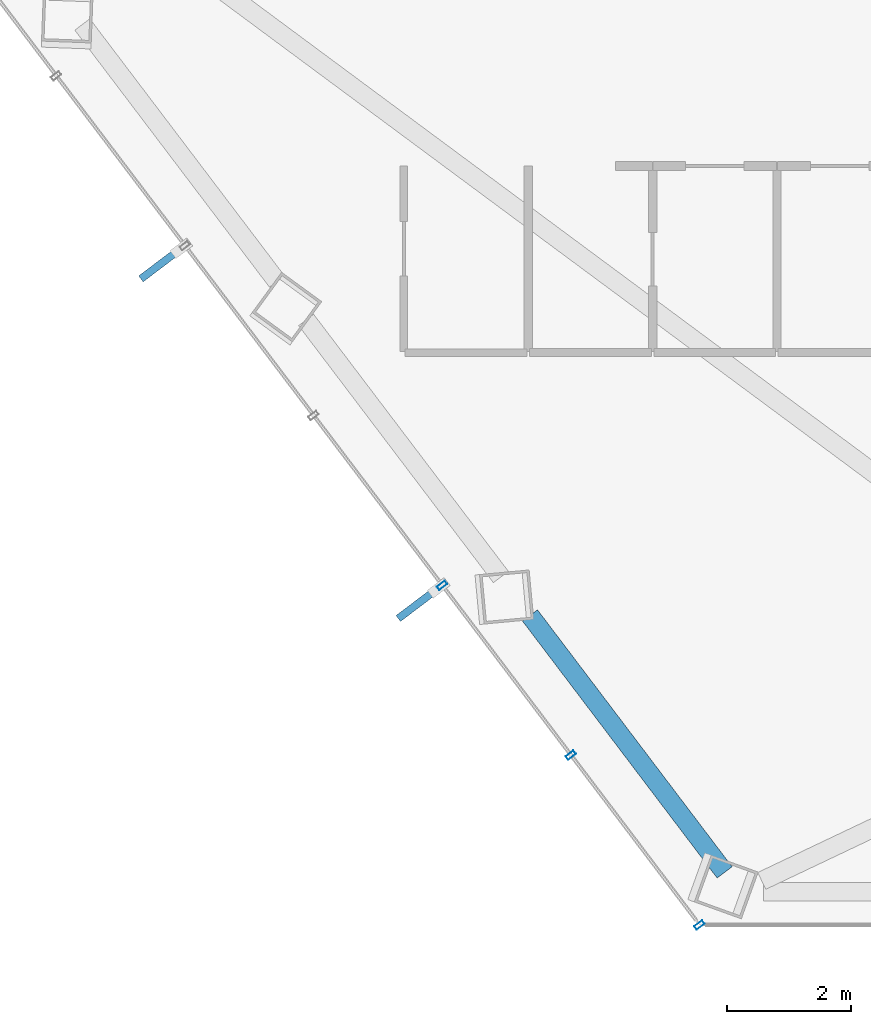
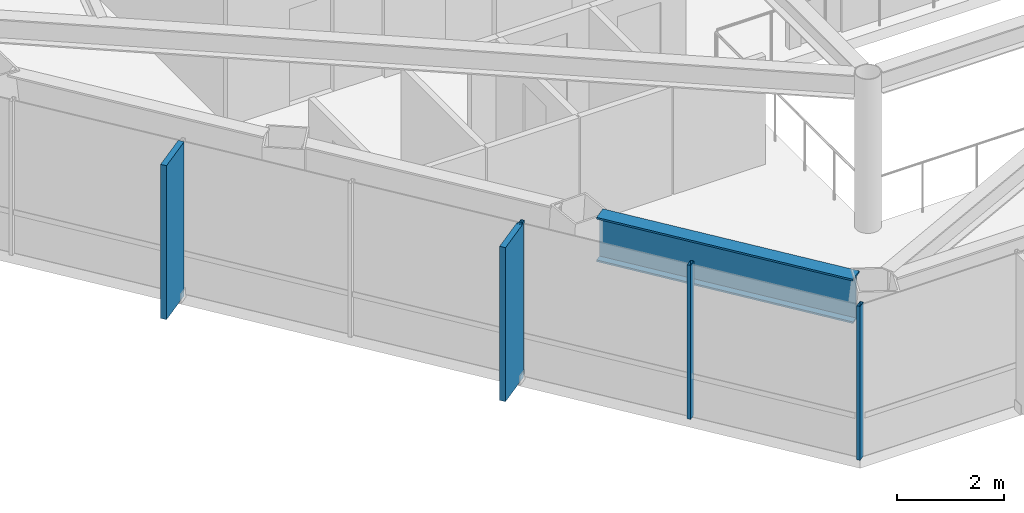
# One storey, part 2 of 29: 5 members, 1 beam, 1 element without a shape of its own.
"""IFC4 building model written with IfcOpenShell, lengths in metres."""

from ifc_helpers import new_model, si_unit, direction, frame, origin, origin_2d, place, context, subcontext, project, spatial, rectangle, hollow_rectangle, i_section, extrude, material, layer, layer_set, material_profile, profile_set, type_object, element, aggregate, save


model = new_model("IFC4")

# Units and contexts
model_context = context("Model", 3, precision=1e-05, world=origin(), true_north=direction((0.0, 1.0)))
body_context = subcontext(model_context, "Body", "Model", "MODEL_VIEW")
ifc_project = project(units=[si_unit("LENGTHUNIT", "METRE"), si_unit("AREAUNIT", "SQUARE_METRE"), si_unit("VOLUMEUNIT", "CUBIC_METRE"), si_unit("PLANEANGLEUNIT", "RADIAN"), si_unit("MASSUNIT", "GRAM", prefix="KILO")], contexts=[model_context])

# Site, building, storey
site_placement = place(None, origin())
site = spatial("IfcSite", under=ifc_project, at=site_placement, CompositionType="ELEMENT")
building_placement = place(site_placement, origin())
building = spatial("IfcBuilding", under=site, at=building_placement, Name="Zarrinselat Tower", CompositionType="ELEMENT")
storey_placement = place(building_placement, frame((0.0, 0.0, 142.1201171875)))
storey = spatial("IfcBuildingStorey", under=building, at=storey_placement, Name="L34", CompositionType="ELEMENT", Elevation=142.1201171875)

# Beam
ifc_material_1 = material(Name="Steel S460M", Category="steel")
ifc_material_profile_1 = material_profile(ifc_material_1, i_section(OverallWidth=0.302001953125, OverallDepth=1.008056640625, WebThickness=0.02099609375, FlangeThickness=0.0400390625, at=origin_2d()), Name="HEM 1000")
ifc_profile_set_1 = profile_set([ifc_material_profile_1], Name="Steel S460M")
beam_type = type_object("IfcBeamType", Name="BM-HEM1000", PredefinedType="BEAM", material=ifc_profile_set_1)
beam_placement = place(storey_placement, frame((27.177978515625, 22.922607421875, 2.995849609375), z_axis=(0.60385134038, -0.797096956914, 0.0), x_axis=(0.797096956914, 0.60385134038, 0.0)))
element("IfcBeam", 1, at=beam_placement, inside=storey, type_object=beam_type, Name="L34 Perimeter Spandrel Girder SP09", PredefinedType="BEAM", context=body_context, shape_type="SweptSolid", body=[
    extrude(i_section(OverallWidth=0.302001953125, OverallDepth=1.008056640625, WebThickness=0.02099609375, FlangeThickness=0.0400390625, at=origin_2d()), origin(), (0.0, 0.0, 1.0), 5.18359375),
])

# Curtain wall, members
ifc_material_2 = material(Name="Extruded Aluminium Alloy EN AW-6063 T6", Category="aluminium")
ifc_layer = layer(ifc_material_2, 0.175048828125)
ifc_layer_set = layer_set([ifc_layer], Name="Extruded Aluminium Alloy EN AW-6063 T6")
curtain_wall_type = type_object("IfcCurtainWallType", Name="CWS-HTL", PredefinedType="NOTDEFINED", material=ifc_layer_set)
curtain_wall_placement = place(storey_placement, origin())
curtain_wall = element("IfcCurtainWall", 2, at=curtain_wall_placement, inside=storey, type_object=curtain_wall_type, Name="L34 Unitised Curtain Wall CW-L34-E03", PredefinedType="NOTDEFINED")
ifc_material_3 = material(Name="Extruded Aluminium Alloy EN AW-6063 T6", Category="aluminium")
ifc_material_profile_2 = material_profile(ifc_material_3, hollow_rectangle(XDim=0.070068359375, YDim=0.159912109375, WallThickness=0.00390625, at=origin_2d()), Name="RHS 160x70x4")
ifc_profile_set_2 = profile_set([ifc_material_profile_2], Name="Extruded Aluminium Alloy EN AW-6063 T6")
member_type_1 = type_object("IfcMemberType", Name="MEM-CW-MUL2", PredefinedType="MULLION", material=ifc_profile_set_2)
member_1_placement = place(storey_placement, frame((25.765869140625, 23.406982421875, 0.0), z_axis=(0.0, 0.0, 1.0), x_axis=(0.603855520216, -0.797093790407, 0.0)))
member_1 = element("IfcMember", 3, at=member_1_placement, type_object=member_type_1, Name="CW-L34-E03 Mullion 5", PredefinedType="MULLION", context=body_context, shape_type="SweptSolid", body=[
    extrude(hollow_rectangle(XDim=0.070068359375, YDim=0.159912109375, WallThickness=0.00390625, at=origin_2d()), origin(), (0.0, 0.0, 1.0), 3.5),
])
member_2_placement = place(storey_placement, frame((27.83447265625, 20.676513671875, 0.0), z_axis=(0.0, 0.0, 1.0), x_axis=(0.603855520216, -0.797093790407, 0.0)))
member_2 = element("IfcMember", 4, at=member_2_placement, type_object=member_type_1, Name="CW-L34-E03 Mullion 6", PredefinedType="MULLION", context=body_context, shape_type="SweptSolid", body=[
    extrude(hollow_rectangle(XDim=0.070068359375, YDim=0.159912109375, WallThickness=0.00390625, at=origin_2d()), origin(), (0.0, 0.0, 1.0), 3.5),
])
member_3_placement = place(storey_placement, frame((29.903076171875, 17.94580078125, 0.0), z_axis=(0.0, 0.0, 1.0), x_axis=(0.603855520216, -0.797093790407, 0.0)))
member_3 = element("IfcMember", 5, at=member_3_placement, type_object=member_type_1, Name="CW-L34-E03 Mullion 7", PredefinedType="MULLION", context=body_context, shape_type="SweptSolid", body=[
    extrude(hollow_rectangle(XDim=0.070068359375, YDim=0.159912109375, WallThickness=0.00390625, at=origin_2d()), origin(), (0.0, 0.0, 1.0), 3.5),
])
ifc_material_4 = material(Name="Honed Cream Travertine Stone", Category="masonry")
ifc_material_profile_3 = material_profile(ifc_material_4, rectangle(XDim=0.1201171875, YDim=0.85009765625, at=origin_2d()), Name="FIN 850x120")
ifc_profile_set_3 = profile_set([ifc_material_profile_3], Name="Honed Cream Travertine Stone")
member_type_2 = type_object("IfcMemberType", Name="MEM-STONE-FIN", PredefinedType="USERDEFINED", material=ifc_profile_set_3)
member_4_placement = place(storey_placement, frame((21.26171875, 28.590576171875, 0.0), z_axis=(0.0, 0.0, 1.0), x_axis=(-0.603855520216, 0.797093790407, 0.0)))
member_4 = element("IfcMember", 6, at=member_4_placement, type_object=member_type_2, Name="L34 Stone Shading Fin CW-L34-E03-03", ObjectType="FIN", PredefinedType="USERDEFINED", context=body_context, shape_type="SweptSolid", body=[
    extrude(rectangle(XDim=0.1201171875, YDim=0.85009765625, at=origin_2d()), origin(), (0.0, 0.0, 1.0), 3.5),
])
member_5_placement = place(storey_placement, frame((25.399169921875, 23.12939453125, 0.0), z_axis=(0.0, 0.0, 1.0), x_axis=(-0.603855520216, 0.797093790407, 0.0)))
member_5 = element("IfcMember", 7, at=member_5_placement, type_object=member_type_2, Name="L34 Stone Shading Fin CW-L34-E03-05", ObjectType="FIN", PredefinedType="USERDEFINED", context=body_context, shape_type="SweptSolid", body=[
    extrude(rectangle(XDim=0.1201171875, YDim=0.85009765625, at=origin_2d()), origin(), (0.0, 0.0, 1.0), 3.5),
])
aggregate(curtain_wall, [member_4, member_1, member_5, member_2, member_3])

save(model, "model.ifc")
